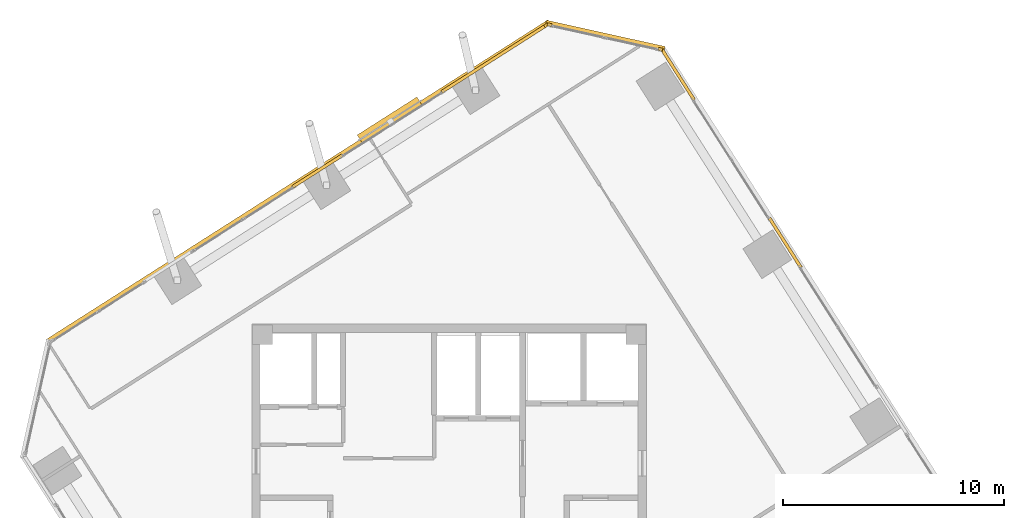
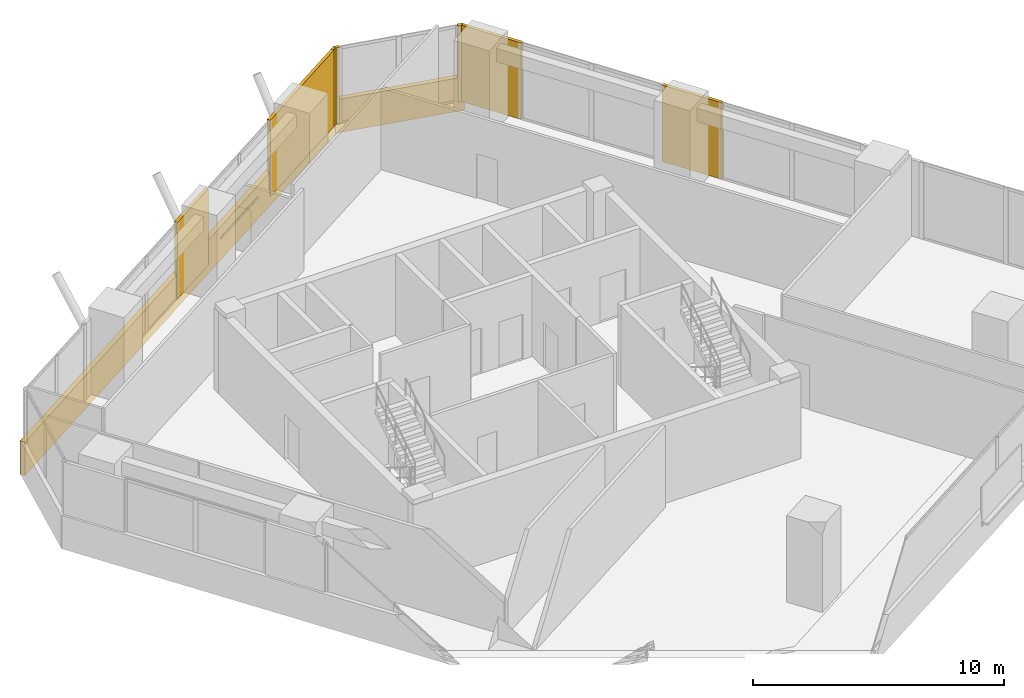
# One storey, part 14 of 14: 9 coverings, 1 shading device.
"""IFC4 building model written with IfcOpenShell, lengths in metres."""

import ifcopenshell
import ifcopenshell.guid

model = None  # the IFC model being written
_history = None  # IfcOwnerHistory: only IFC2X3 demands one
_inside = {}  # id of a spatial element -> (the spatial element, [elements in it])
_under = {}  # id of a project, library or spatial element -> (it, [spatial elements below it])
_declared = {}  # id of a project -> (the project, [libraries it declares])
_typed = {}  # id of a type object -> (the type object, [elements of that type])
_made_of = {}  # id of a material, layer set ... -> (it, [elements and type objects made of it])


def new_model(schema):
    """Start an empty IFC model of exactly this schema.

    Asked for "IFC4X3", IfcOpenShell would pick the latest addendum, in which some entities
    have other attributes; the version numbers below select the first issue.
    IFC2X3 requires an IfcOwnerHistory on every rooted entity: one is made here for all.
    """
    global model, _history
    if schema == "IFC4X3":
        model = ifcopenshell.file(schema_version=(4, 3, 0, 0))
    else:
        model = ifcopenshell.file(schema=schema)
    _inside.clear()
    _under.clear()
    _declared.clear()
    _typed.clear()
    _made_of.clear()
    _history = None
    if model.schema == "IFC2X3":
        org = make("IfcOrganization", Name="unknown")
        user = make(
            "IfcPersonAndOrganization",
            ThePerson=make("IfcPerson", FamilyName="unknown"),
            TheOrganization=org,
        )
        app = make(
            "IfcApplication",
            ApplicationDeveloper=org,
            Version="unknown",
            ApplicationFullName="unknown",
            ApplicationIdentifier="unknown",
        )
        _history = make(
            "IfcOwnerHistory",
            OwningUser=user,
            OwningApplication=app,
            ChangeAction="ADDED",
            CreationDate=0,
        )
    return model


def make(cls, **values):
    """One entity of the class cls with the attributes given. An attribute that is None is left unset."""
    return model.create_entity(
        cls, **{name: value for name, value in values.items() if value is not None}
    )


def rooted(cls, **values):
    """An entity with a GlobalId (a new one), such as an element, a storey or a relation."""
    return make(cls, GlobalId=ifcopenshell.guid.new(), OwnerHistory=_history, **values)


def si_unit(unit_type, name, prefix=None):
    """IfcSIUnit, for example si_unit("LENGTHUNIT", "METRE", prefix="MILLI")."""
    return make("IfcSIUnit", UnitType=unit_type, Prefix=prefix, Name=name)


def assignment(units):
    """IfcUnitAssignment: the units of a project."""
    return None if units is None else make("IfcUnitAssignment", Units=units)


def point(xyz):
    """IfcCartesianPoint."""
    return None if xyz is None else make("IfcCartesianPoint", Coordinates=xyz)


def direction(xyz):
    """IfcDirection."""
    return None if xyz is None else make("IfcDirection", DirectionRatios=xyz)


def frame(location, z_axis=None, x_axis=None):
    """IfcAxis2Placement3D, a coordinate frame: its origin and axes. An axis left out is left unset."""
    return make(
        "IfcAxis2Placement3D",
        Location=point(location),
        Axis=direction(z_axis),
        RefDirection=direction(x_axis),
    )


def frame_2d(location, x_axis=None):
    """IfcAxis2Placement2D, a coordinate frame in the plane: its origin and x axis."""
    return make(
        "IfcAxis2Placement2D", Location=point(location), RefDirection=direction(x_axis)
    )


def origin():
    """The frame at (0, 0, 0) with its axes left unset."""
    return frame((0.0, 0.0, 0.0))


def origin_2d():
    """The frame at (0, 0) in the plane with its x axis left unset."""
    return frame_2d((0.0, 0.0))


def place(relative_to, where):
    """IfcLocalPlacement: puts the frame where relative to a parent placement (None: the world)."""
    return make(
        "IfcLocalPlacement", PlacementRelTo=relative_to, RelativePlacement=where
    )


def context(
    kind, dimensions, precision=None, world=None, true_north=None, identifier=None
):
    """IfcGeometricRepresentationContext, for example the 3D "Model" context."""
    return make(
        "IfcGeometricRepresentationContext",
        ContextIdentifier=identifier,
        ContextType=kind,
        CoordinateSpaceDimension=dimensions,
        Precision=precision,
        WorldCoordinateSystem=world,
        TrueNorth=true_north,
    )


def subcontext(parent, identifier, kind, view, scale=None):
    """IfcGeometricRepresentationSubContext, for example "Body" below "Model"."""
    return make(
        "IfcGeometricRepresentationSubContext",
        ContextIdentifier=identifier,
        ContextType=kind,
        ParentContext=parent,
        TargetScale=scale,
        TargetView=view,
    )


def project(units=None, contexts=None):
    """IfcProject with its units and contexts."""
    return rooted(
        "IfcProject",
        Name="project",
        RepresentationContexts=contexts,
        UnitsInContext=assignment(units),
    )


def spatial(cls, under=None, at=None, **own):
    """A site, building, storey or space (cls), placed at a placement, below another one or the project."""
    s = rooted(cls, ObjectPlacement=at, **own)
    if under is not None:
        _under.setdefault(under.id(), (under, []))[1].append(s)
    return s


def profile(cls, at=None, kind="AREA", **sizes):
    """A parametric profile (cls). Its sizes go by their IFC names, for example OverallWidth=200.0."""
    return make(cls, ProfileType=kind, Position=at, **sizes)


def rectangle(**sizes):
    """IfcRectangleProfileDef."""
    return profile("IfcRectangleProfileDef", **sizes)


def extrude(swept, where, along, depth):
    """IfcExtrudedAreaSolid: the profile swept, set in the frame where, extruded along a direction by depth."""
    return make(
        "IfcExtrudedAreaSolid",
        SweptArea=swept,
        Position=where,
        ExtrudedDirection=direction(along),
        Depth=depth,
    )


def shape(context_of_items, identifier, shape_type, items):
    """IfcShapeRepresentation: the items that make up one representation, for example the "Body"."""
    return make(
        "IfcShapeRepresentation",
        ContextOfItems=context_of_items,
        RepresentationIdentifier=identifier,
        RepresentationType=shape_type,
        Items=items,
    )


def source(mapping_origin, context_of_items, identifier, shape_type, items):
    """IfcRepresentationMap: a shape defined once, which mapped items show again and again."""
    return make(
        "IfcRepresentationMap",
        MappingOrigin=mapping_origin,
        MappedRepresentation=shape(context_of_items, identifier, shape_type, items),
    )


def transform(
    local_origin,
    x_axis=None,
    y_axis=None,
    z_axis=None,
    scale=None,
    scale2=None,
    scale3=None,
    uniform=True,
):
    """IfcCartesianTransformationOperator3D, or its non-uniform kind. x_axis, y_axis, z_axis: its Axis1, 2, 3."""
    if uniform:
        return make(
            "IfcCartesianTransformationOperator3D",
            Axis1=direction(x_axis),
            Axis2=direction(y_axis),
            LocalOrigin=point(local_origin),
            Scale=scale,
            Axis3=direction(z_axis),
        )
    return make(
        "IfcCartesianTransformationOperator3DnonUniform",
        Axis1=direction(x_axis),
        Axis2=direction(y_axis),
        LocalOrigin=point(local_origin),
        Scale=scale,
        Axis3=direction(z_axis),
        Scale2=scale2,
        Scale3=scale3,
    )


def mapped(mapping_source, mapping_target):
    """IfcMappedItem: shows the shape of a source again, moved by a transform."""
    return make(
        "IfcMappedItem", MappingSource=mapping_source, MappingTarget=mapping_target
    )


def material(Name=None, Category=None):
    """IfcMaterial."""
    return make("IfcMaterial", Name=Name, Category=Category)


def layer(
    of_material, thickness, ventilated=None, Name=None, Category=None, Priority=None
):
    """IfcMaterialLayer: one layer of a wall or slab, of a material (None: an air gap)."""
    return make(
        "IfcMaterialLayer",
        Material=of_material,
        LayerThickness=thickness,
        IsVentilated=ventilated,
        Name=Name,
        Category=Category,
        Priority=Priority,
    )


def layer_set(layers, Name=None):
    """IfcMaterialLayerSet."""
    return make("IfcMaterialLayerSet", MaterialLayers=layers, LayerSetName=Name)


def made_of(thing, what):
    """Note that an element or type object is made of a material, layer set ...; save() writes the relation."""
    if what is not None:
        _made_of.setdefault(what.id(), (what, []))[1].append(thing)
    return thing


def type_object(cls, material=None, **own):
    """A type object (cls), such as IfcWallType, which elements share."""
    return made_of(rooted(cls, **own), material)


def element(
    cls,
    number,
    at=None,
    inside=None,
    cuts=None,
    type_object=None,
    material=None,
    context=None,
    identifier="Body",
    shape_type=None,
    held_by="IfcProductDefinitionShape",
    body=None,
    shapes=None,
    **own,
):
    """One element of the class cls, such as IfcWall. Its Tag is "e" and its number.

    at: its placement. inside: the storey or other place that contains it. cuts: it is an
    opening in that element (IfcRelVoidsElement). A single representation is given by context,
    identifier, shape_type and body (its items); several are given by shapes. held_by: the class
    of the entity that holds the representations. save() writes the other relations.
    """
    e = rooted(cls, Tag="e%d" % number, ObjectPlacement=at, **own)
    if body is not None:
        shapes = [shape(context, identifier, shape_type, body)]
    if shapes is not None:
        e.Representation = make(held_by, Representations=shapes)
    if inside is not None:
        _inside.setdefault(inside.id(), (inside, []))[1].append(e)
    if cuts is not None:
        rooted(
            "IfcRelVoidsElement", RelatingBuildingElement=cuts, RelatedOpeningElement=e
        )
    if type_object is not None:
        _typed.setdefault(type_object.id(), (type_object, []))[1].append(e)
    return made_of(e, material)


def aggregate(whole, parts):
    """IfcRelAggregates: a whole, such as a stair, and the parts it consists of."""
    return rooted("IfcRelAggregates", RelatingObject=whole, RelatedObjects=parts)


def save(model, path):
    """Write the relations noted so far, then the file.

    IfcRelAggregates (storeys below a building ...), IfcRelContainedInSpatialStructure (elements
    in a storey), IfcRelDefinesByType, IfcRelAssociatesMaterial and IfcRelDeclares: one each for
    every whole, place, type object, material and project.
    """
    for whole, parts in _under.values():
        aggregate(whole, parts)
    for where, things in _inside.values():
        rooted(
            "IfcRelContainedInSpatialStructure",
            RelatedElements=things,
            RelatingStructure=where,
        )
    for kind, things in _typed.values():
        rooted("IfcRelDefinesByType", RelatedObjects=things, RelatingType=kind)
    for what, things in _made_of.values():
        rooted("IfcRelAssociatesMaterial", RelatedObjects=things, RelatingMaterial=what)
    for by, libraries in _declared.values():
        rooted("IfcRelDeclares", RelatingContext=by, RelatedDefinitions=libraries)
    model.write(path)


model = new_model("IFC4")

# Units and contexts
model_context = context("Model", 3, precision=1e-05, world=origin(), true_north=direction((0.0, 1.0)))
body_context = subcontext(model_context, "Body", "Model", "MODEL_VIEW")
ifc_project = project(units=[si_unit("LENGTHUNIT", "METRE"), si_unit("AREAUNIT", "SQUARE_METRE"), si_unit("VOLUMEUNIT", "CUBIC_METRE"), si_unit("PLANEANGLEUNIT", "RADIAN"), si_unit("MASSUNIT", "GRAM", prefix="KILO")], contexts=[model_context])

# Site, building, storey
site_placement = place(None, origin())
site = spatial("IfcSite", under=ifc_project, at=site_placement, CompositionType="ELEMENT")
building_placement = place(site_placement, origin())
building = spatial("IfcBuilding", under=site, at=building_placement, Name="Torre Montelarca", CompositionType="ELEMENT")
storey_placement = place(building_placement, frame((0.0, 0.0, 315.60009765625)))
storey = spatial("IfcBuildingStorey", under=building, at=storey_placement, Name="L71", CompositionType="ELEMENT", Elevation=315.60009765625)

# Shading device
ifc_material_1 = material(Name="Anodised champagne bronze aluminium AA 6063-T6", Category="aluminium")
ifc_layer_1 = layer(ifc_material_1, 0.070068359375, Name="Anodised champagne bronze aluminium AA 6063-T6", Category="aluminium")
ifc_layer_set_1 = layer_set([ifc_layer_1], Name="Anodised champagne bronze aluminium AA 6063-T6")
shading_device_type = type_object("IfcShadingDeviceType", Name="SHD-SUNSHADE-1", PredefinedType="USERDEFINED", material=ifc_layer_set_1)
shared_shape_1 = source(origin(), body_context, "Body", "SweptSolid", [
    extrude(rectangle(XDim=3.199951171875, YDim=0.47998046875, at=origin_2d()), origin(), (0.0, 0.0, 1.0), 0.10009765625),
])
shading_device_placement = place(storey_placement, frame((15.3203125, 49.14453125, 0.56982421875), z_axis=(0.0, 0.0, 1.0), x_axis=(-0.843392383576, -0.53729813635, 0.0)))
element("IfcShadingDevice", 1, at=shading_device_placement, inside=storey, type_object=shading_device_type, Name="L71 Facade Solar Shading Device E10", ObjectType="SUNSHADE", PredefinedType="USERDEFINED", context=body_context, shape_type="MappedRepresentation", body=[
    mapped(shared_shape_1, transform((0.0, 0.0, 0.0), scale=1.0)),
])

# Coverings
ifc_material_2 = material(Name="Bush-hammered warm white precast concrete C45/55", Category="concrete")
ifc_layer_2 = layer(ifc_material_2, 0.139892578125, Name="Bush-hammered warm white precast concrete C45/55", Category="concrete")
ifc_layer_set_2 = layer_set([ifc_layer_2], Name="Bush-hammered warm white precast concrete C45/55")
covering_type = type_object("IfcCoveringType", Name="COV-TRAY-CLAD", PredefinedType="CLADDING", material=ifc_layer_set_2)
shared_shape_2 = source(origin(), body_context, "Body", "SweptSolid", [
    extrude(rectangle(XDim=0.199951171875, YDim=0.139892578125, at=origin_2d()), origin(), (0.0, 0.0, 1.0), 3.719970703125),
])
for number, where, z_axis, x_axis, name in (
    (2, (27.56201171875, 52.364501953125, 0.0), (0.0, 0.0, 1.0), (-0.976298273617, 0.216429390178, 0.0), "L71 Architectural Column Pier Cladding E09-1"),
    (3, (22.54150390625, 53.4775390625, 0.0), (0.0, 0.0, 1.0), (-0.976298273617, 0.216429390178, 0.0), "L71 Architectural Column Pier Cladding E09-2"),
    (4, (22.3984375, 53.452392578125, 0.0), (0.0, 0.0, 1.0), (-0.843390508047, -0.537301080342, 0.0), "L71 Architectural Column Pier Cladding E10-1"),
):
    element("IfcCovering", number, at=place(storey_placement, frame(where, z_axis=z_axis, x_axis=x_axis)), inside=storey, type_object=covering_type, Name=name, PredefinedType="CLADDING", context=body_context, shape_type="MappedRepresentation", body=[
        mapped(shared_shape_2, transform((0.0, 0.0, 0.0), scale=1.0)),
    ])
shared_shape_3 = source(origin(), body_context, "Body", "SweptSolid", [
    extrude(rectangle(XDim=2.659912109375, YDim=0.139892578125, at=origin_2d()), origin(), (0.0, 0.0, 1.0), 3.719970703125),
])
for number, where, z_axis, x_axis, name in (
    (5, (33.206298828125, 43.60791015625, 0.0), (0.0, 0.0, 1.0), (-0.537299608347, 0.843391445813, 0.0), "L71 Architectural Column Pier Cladding E08-3"),
    (6, (12.0380859375, 46.85205078125, 0.0), (0.0, 0.0, 1.0), (-0.843390508047, -0.537301080342, 0.0), "L71 Architectural Column Pier Cladding E10-3"),
):
    element("IfcCovering", number, at=place(storey_placement, frame(where, z_axis=z_axis, x_axis=x_axis)), inside=storey, type_object=covering_type, Name=name, PredefinedType="CLADDING", context=body_context, shape_type="MappedRepresentation", body=[
        mapped(shared_shape_3, transform((0.0, 0.0, 0.0), scale=1.0)),
    ])
shared_shape_4 = source(origin(), body_context, "Body", "SweptSolid", [
    extrude(rectangle(XDim=5.493896484375, YDim=0.219970703125, at=origin_2d()), origin(), (0.0, 0.0, 1.0), 1.6201171875),
])
covering_1_placement = place(storey_placement, frame((25.064697265625, 52.979736328125, -0.4501953125), z_axis=(0.0, 0.0, 1.0), x_axis=(-0.97629751813, 0.216432798101, 0.0)))
element("IfcCovering", 7, at=covering_1_placement, inside=storey, type_object=covering_type, Name="L71 Architectural White Spandrel Tray Band TRYBOT-09", PredefinedType="CLADDING", context=body_context, shape_type="MappedRepresentation", body=[
    mapped(shared_shape_4, transform((0.0, 0.0, 0.0), scale=1.0)),
])
shared_shape_5 = source(origin(), body_context, "Body", "SweptSolid", [
    extrude(rectangle(XDim=2.714111328125, YDim=0.139892578125, at=origin_2d()), origin(), (0.0, 0.0, 1.0), 3.719970703125),
])
covering_2_placement = place(storey_placement, frame((28.356201171875, 51.22119140625, 0.0), z_axis=(0.0, 0.0, 1.0), x_axis=(-0.537299608347, 0.843391445813, 0.0)))
element("IfcCovering", 8, at=covering_2_placement, inside=storey, type_object=covering_type, Name="L71 Architectural Column Pier Cladding E08-4", PredefinedType="CLADDING", context=body_context, shape_type="MappedRepresentation", body=[
    mapped(shared_shape_5, transform((0.0, 0.0, 0.0), scale=1.0)),
])
shared_shape_6 = source(origin(), body_context, "Body", "SweptSolid", [
    extrude(rectangle(XDim=5.6142578125, YDim=0.139892578125, at=origin_2d()), origin(), (0.0, 0.0, 1.0), 3.719970703125),
])
covering_3_placement = place(storey_placement, frame((20.031005859375, 51.944091796875, 0.0), z_axis=(0.0, 0.0, 1.0), x_axis=(-0.843390508047, -0.537301080342, 0.0)))
element("IfcCovering", 9, at=covering_3_placement, inside=storey, type_object=covering_type, Name="L71 Architectural Column Pier Cladding E10-2", PredefinedType="CLADDING", context=body_context, shape_type="MappedRepresentation", body=[
    mapped(shared_shape_6, transform((0.0, 0.0, 0.0), scale=1.0)),
])
shared_shape_7 = source(origin(), body_context, "Body", "SweptSolid", [
    extrude(rectangle(XDim=26.919921875, YDim=0.219970703125, at=origin_2d()), origin(), (0.0, 0.0, 1.0), 1.6201171875),
])
covering_4_placement = place(storey_placement, frame((11.16259765625, 46.365478515625, -0.4501953125), z_axis=(0.0, 0.0, 1.0), x_axis=(-0.843392383576, -0.53729813635, 0.0)))
element("IfcCovering", 10, at=covering_4_placement, inside=storey, type_object=covering_type, Name="L71 Architectural White Spandrel Tray Band TRYBOT-10", PredefinedType="CLADDING", context=body_context, shape_type="MappedRepresentation", body=[
    mapped(shared_shape_7, transform((0.0, 0.0, 0.0), scale=1.0)),
])

save(model, "model.ifc")
